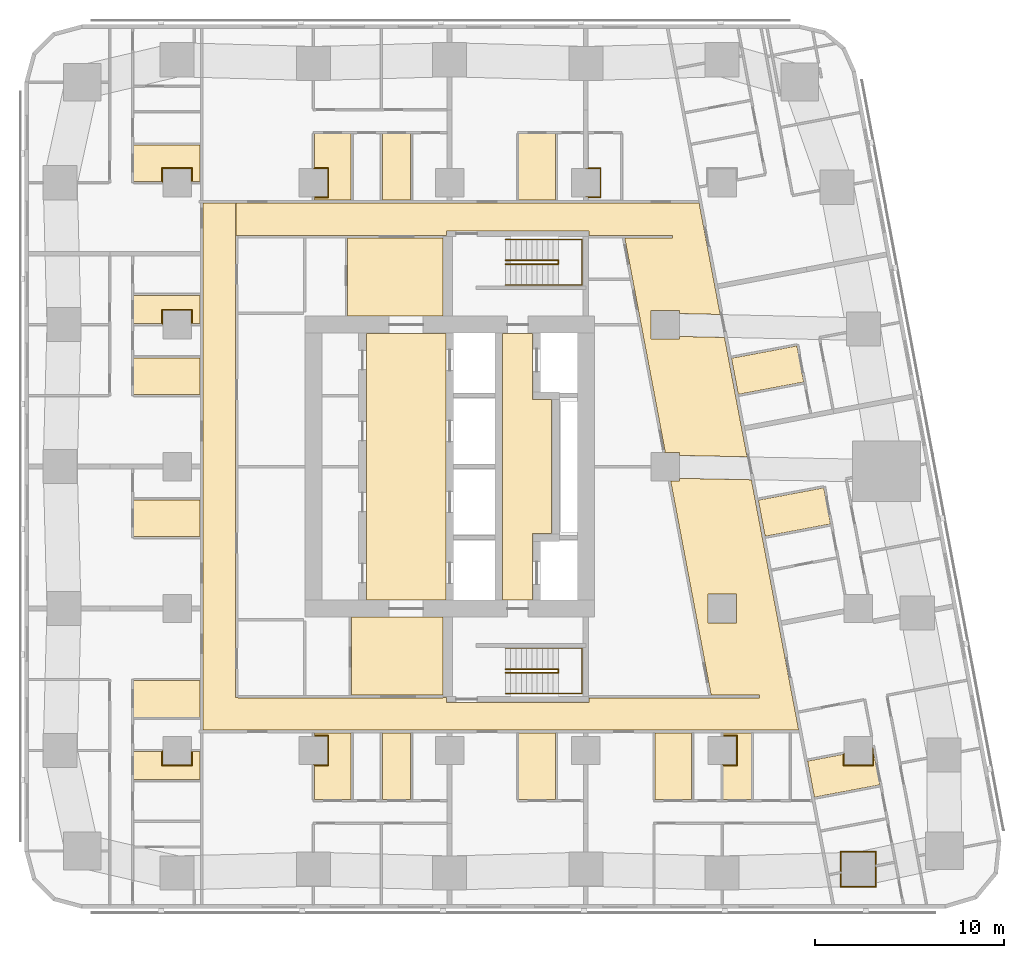
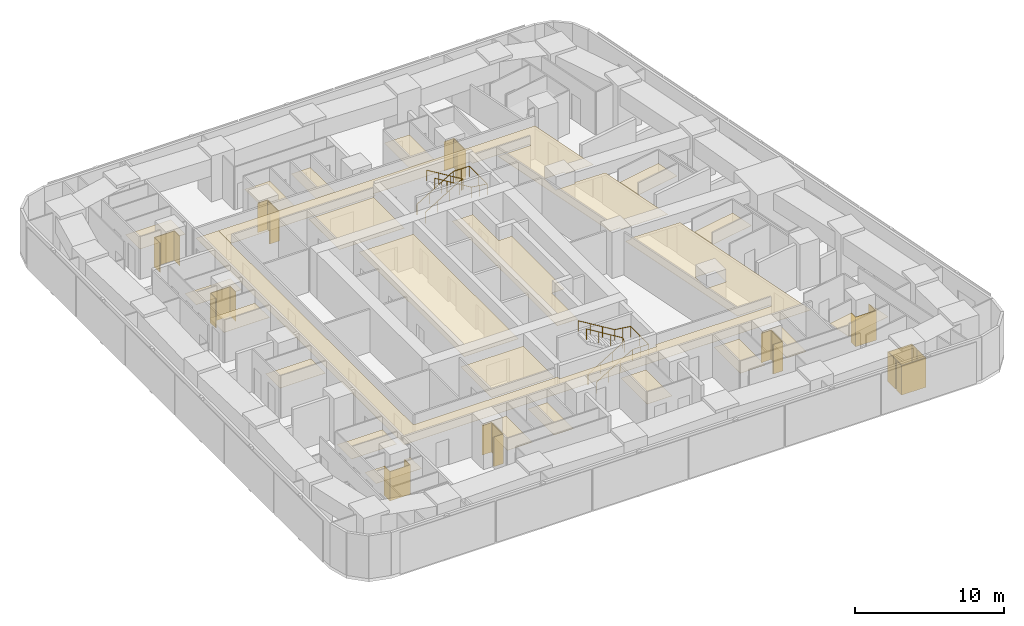
# One storey, part 14 of 15: 33 coverings, 4 railings.
"""IFC4 building model written with IfcOpenShell, lengths in metres."""

from ifc_helpers import new_model, si_unit, direction, frame, origin, origin_2d, place, context, subcontext, project, spatial, polyline, circle, outline, extrude, material, layer, layer_set, type_object, element, save


model = new_model("IFC4")

# Units and contexts
model_context = context("Model", 3, precision=1e-05, world=origin(), true_north=direction((0.0, 1.0)))
body_context = subcontext(model_context, "Body", "Model", "MODEL_VIEW")
ifc_project = project(units=[si_unit("LENGTHUNIT", "METRE"), si_unit("AREAUNIT", "SQUARE_METRE"), si_unit("VOLUMEUNIT", "CUBIC_METRE"), si_unit("PLANEANGLEUNIT", "RADIAN"), si_unit("MASSUNIT", "GRAM", prefix="KILO")], contexts=[model_context])

# Site, building, storey
site_placement = place(None, origin())
site = spatial("IfcSite", under=ifc_project, at=site_placement, CompositionType="ELEMENT")
building_placement = place(site_placement, origin())
building = spatial("IfcBuilding", under=site, at=building_placement, Name="Sheger Commons Tower", CompositionType="ELEMENT")
storey_placement = place(building_placement, frame((0.0, 0.0, 180.800048828125)))
storey = spatial("IfcBuildingStorey", under=building, at=storey_placement, Name="L46", CompositionType="ELEMENT", Elevation=180.800048828125)

# Railings
ifc_material_1 = material(Name="Steel handrail, black powder-coated", Category="steel")
railing_type = type_object("IfcRailingType", Name="HANDRAIL 900", PredefinedType="HANDRAIL", material=ifc_material_1)
railing_1_placement = place(storey_placement, frame((24.550048828125, 11.60009765625, 0.17041015625)))
element("IfcRailing", 1, at=railing_1_placement, inside=storey, type_object=railing_type, Name="Stair S1 handrail L46", PredefinedType="HANDRAIL", context=body_context, shape_type="SweptSolid", body=[
    extrude(circle(Radius=0.02392578125, at=origin_2d()), frame((0.0, 0.0, 0.8759765625), z_axis=(0.854169791009, 0.0, 0.51999420009), x_axis=(0.0, 1.0, 0.0)), (0.0, 0.0, 1.0), 3.278076171875),
    extrude(circle(Radius=0.02392578125, at=origin_2d()), frame((2.800048828125, 0.0, 2.58056640625), z_axis=(0.0, 0.761090297175, 0.648645943136), x_axis=(-1.0, 0.0, 0.0)), (0.0, 0.0, 1.0), 0.2626953125),
    extrude(circle(Radius=0.02392578125, at=origin_2d()), frame((2.800048828125, 0.199951171875, 2.7509765625), z_axis=(-0.854169791009, 0.0, 0.51999420009), x_axis=(0.0, -1.0, 0.0)), (0.0, 0.0, 1.0), 3.278076171875),
    extrude(circle(Radius=0.02099609375, at=origin_2d()), origin(), (0.0, 0.0, 1.0), 0.851806640625),
    extrude(circle(Radius=0.02099609375, at=origin_2d()), frame((0.933349609375, 0.0, 0.568115234375)), (0.0, 0.0, 1.0), 0.851806640625),
    extrude(circle(Radius=0.02099609375, at=origin_2d()), frame((1.86669921875, 0.0, 1.136474609375)), (0.0, 0.0, 1.0), 0.851806640625),
    extrude(circle(Radius=0.02099609375, at=origin_2d()), frame((2.800048828125, 0.0, 1.70458984375)), (0.0, 0.0, 1.0), 0.851806640625),
    extrude(circle(Radius=0.02099609375, at=origin_2d()), frame((2.800048828125, 0.199951171875, 1.875)), (0.0, 0.0, 1.0), 0.851806640625),
    extrude(circle(Radius=0.02099609375, at=origin_2d()), frame((1.86669921875, 0.199951171875, 2.443115234375)), (0.0, 0.0, 1.0), 0.851806640625),
    extrude(circle(Radius=0.02099609375, at=origin_2d()), frame((0.933349609375, 0.199951171875, 3.011474609375)), (0.0, 0.0, 1.0), 0.851806640625),
    extrude(circle(Radius=0.02099609375, at=origin_2d()), frame((0.0, 0.199951171875, 3.57958984375)), (0.0, 0.0, 1.0), 0.851806640625),
])
railing_2_placement = place(storey_placement, frame((24.550048828125, 10.5, 0.17041015625)))
element("IfcRailing", 2, at=railing_2_placement, inside=storey, type_object=railing_type, Name="Stair S1 handrail L46", PredefinedType="HANDRAIL", context=body_context, shape_type="SweptSolid", body=[
    extrude(circle(Radius=0.02392578125, at=origin_2d()), frame((0.0, 0.0, 0.8759765625), z_axis=(0.854169791009, 0.0, 0.51999420009), x_axis=(0.0, 1.0, 0.0)), (0.0, 0.0, 1.0), 3.278076171875),
    extrude(circle(Radius=0.02392578125, at=origin_2d()), frame((2.800048828125, 0.0, 2.58056640625), z_axis=(1.0, 0.0, 0.0), x_axis=(0.0, 1.0, 0.0)), (0.0, 0.0, 1.0), 1.25),
    extrude(circle(Radius=0.02392578125, at=origin_2d()), frame((4.050048828125, 0.0, 2.58056640625), z_axis=(0.0, 1.0, 0.0), x_axis=(-1.0, 0.0, 0.0)), (0.0, 0.0, 1.0), 2.39990234375),
    extrude(circle(Radius=0.02392578125, at=origin_2d()), frame((4.050048828125, 2.39990234375, 2.58056640625), z_axis=(-0.990834877927, 0.0, 0.135078661092), x_axis=(0.0, -1.0, 0.0)), (0.0, 0.0, 1.0), 1.261474609375),
    extrude(circle(Radius=0.02392578125, at=origin_2d()), frame((2.800048828125, 2.39990234375, 2.7509765625), z_axis=(-0.854169791009, 0.0, 0.51999420009), x_axis=(0.0, -1.0, 0.0)), (0.0, 0.0, 1.0), 3.278076171875),
    extrude(circle(Radius=0.02099609375, at=origin_2d()), origin(), (0.0, 0.0, 1.0), 0.851806640625),
    extrude(circle(Radius=0.02099609375, at=origin_2d()), frame((0.933349609375, 0.0, 0.568115234375)), (0.0, 0.0, 1.0), 0.851806640625),
    extrude(circle(Radius=0.02099609375, at=origin_2d()), frame((1.86669921875, 0.0, 1.136474609375)), (0.0, 0.0, 1.0), 0.851806640625),
    extrude(circle(Radius=0.02099609375, at=origin_2d()), frame((2.800048828125, 0.0, 1.70458984375)), (0.0, 0.0, 1.0), 0.851806640625),
    extrude(circle(Radius=0.02099609375, at=origin_2d()), frame((3.425048828125, 0.0, 1.70458984375)), (0.0, 0.0, 1.0), 0.851806640625),
    extrude(circle(Radius=0.02099609375, at=origin_2d()), frame((4.050048828125, 0.0, 1.70458984375)), (0.0, 0.0, 1.0), 0.851806640625),
    extrude(circle(Radius=0.02099609375, at=origin_2d()), frame((4.050048828125, 1.199951171875, 1.70458984375)), (0.0, 0.0, 1.0), 0.851806640625),
    extrude(circle(Radius=0.02099609375, at=origin_2d()), frame((4.050048828125, 2.39990234375, 1.70458984375)), (0.0, 0.0, 1.0), 0.851806640625),
    extrude(circle(Radius=0.02099609375, at=origin_2d()), frame((3.425048828125, 2.39990234375, 1.789794921875)), (0.0, 0.0, 1.0), 0.851806640625),
    extrude(circle(Radius=0.02099609375, at=origin_2d()), frame((2.800048828125, 2.39990234375, 1.875)), (0.0, 0.0, 1.0), 0.851806640625),
    extrude(circle(Radius=0.02099609375, at=origin_2d()), frame((1.86669921875, 2.39990234375, 2.443115234375)), (0.0, 0.0, 1.0), 0.851806640625),
    extrude(circle(Radius=0.02099609375, at=origin_2d()), frame((0.933349609375, 2.39990234375, 3.011474609375)), (0.0, 0.0, 1.0), 0.851806640625),
    extrude(circle(Radius=0.02099609375, at=origin_2d()), frame((0.0, 2.39990234375, 3.57958984375)), (0.0, 0.0, 1.0), 0.851806640625),
])
railing_3_placement = place(storey_placement, frame((24.550048828125, 33.39990234375, 0.17041015625)))
element("IfcRailing", 3, at=railing_3_placement, inside=storey, type_object=railing_type, Name="Stair S2 handrail L46", PredefinedType="HANDRAIL", context=body_context, shape_type="SweptSolid", body=[
    extrude(circle(Radius=0.02392578125, at=origin_2d()), frame((0.0, 0.0, 0.8759765625), z_axis=(0.854169791009, 0.0, 0.51999420009), x_axis=(0.0, 1.0, 0.0)), (0.0, 0.0, 1.0), 3.278076171875),
    extrude(circle(Radius=0.02392578125, at=origin_2d()), frame((2.800048828125, 0.0, 2.58056640625), z_axis=(0.0, -0.761090297175, 0.648645943136), x_axis=(1.0, 0.0, 0.0)), (0.0, 0.0, 1.0), 0.2626953125),
    extrude(circle(Radius=0.02392578125, at=origin_2d()), frame((2.800048828125, -0.199951171875, 2.7509765625), z_axis=(-0.854169791009, 0.0, 0.51999420009), x_axis=(0.0, -1.0, 0.0)), (0.0, 0.0, 1.0), 3.278076171875),
    extrude(circle(Radius=0.02099609375, at=origin_2d()), origin(), (0.0, 0.0, 1.0), 0.851806640625),
    extrude(circle(Radius=0.02099609375, at=origin_2d()), frame((0.933349609375, 0.0, 0.568115234375)), (0.0, 0.0, 1.0), 0.851806640625),
    extrude(circle(Radius=0.02099609375, at=origin_2d()), frame((1.86669921875, 0.0, 1.136474609375)), (0.0, 0.0, 1.0), 0.851806640625),
    extrude(circle(Radius=0.02099609375, at=origin_2d()), frame((2.800048828125, 0.0, 1.70458984375)), (0.0, 0.0, 1.0), 0.851806640625),
    extrude(circle(Radius=0.02099609375, at=origin_2d()), frame((2.800048828125, -0.199951171875, 1.875)), (0.0, 0.0, 1.0), 0.851806640625),
    extrude(circle(Radius=0.02099609375, at=origin_2d()), frame((1.86669921875, -0.199951171875, 2.443115234375)), (0.0, 0.0, 1.0), 0.851806640625),
    extrude(circle(Radius=0.02099609375, at=origin_2d()), frame((0.933349609375, -0.199951171875, 3.011474609375)), (0.0, 0.0, 1.0), 0.851806640625),
    extrude(circle(Radius=0.02099609375, at=origin_2d()), frame((0.0, -0.199951171875, 3.57958984375)), (0.0, 0.0, 1.0), 0.851806640625),
])
railing_4_placement = place(storey_placement, frame((24.550048828125, 34.5, 0.17041015625)))
element("IfcRailing", 4, at=railing_4_placement, inside=storey, type_object=railing_type, Name="Stair S2 handrail L46", PredefinedType="HANDRAIL", context=body_context, shape_type="SweptSolid", body=[
    extrude(circle(Radius=0.02392578125, at=origin_2d()), frame((0.0, 0.0, 0.8759765625), z_axis=(0.854169791009, 0.0, 0.51999420009), x_axis=(0.0, 1.0, 0.0)), (0.0, 0.0, 1.0), 3.278076171875),
    extrude(circle(Radius=0.02392578125, at=origin_2d()), frame((2.800048828125, 0.0, 2.58056640625), z_axis=(1.0, 0.0, 0.0), x_axis=(0.0, 1.0, 0.0)), (0.0, 0.0, 1.0), 1.25),
    extrude(circle(Radius=0.02392578125, at=origin_2d()), frame((4.050048828125, 0.0, 2.58056640625), z_axis=(0.0, -1.0, 0.0), x_axis=(1.0, 0.0, 0.0)), (0.0, 0.0, 1.0), 2.39990234375),
    extrude(circle(Radius=0.02392578125, at=origin_2d()), frame((4.050048828125, -2.39990234375, 2.58056640625), z_axis=(-0.990834877927, 0.0, 0.135078661092), x_axis=(0.0, -1.0, 0.0)), (0.0, 0.0, 1.0), 1.261474609375),
    extrude(circle(Radius=0.02392578125, at=origin_2d()), frame((2.800048828125, -2.39990234375, 2.7509765625), z_axis=(-0.854169791009, 0.0, 0.51999420009), x_axis=(0.0, -1.0, 0.0)), (0.0, 0.0, 1.0), 3.278076171875),
    extrude(circle(Radius=0.02099609375, at=origin_2d()), origin(), (0.0, 0.0, 1.0), 0.851806640625),
    extrude(circle(Radius=0.02099609375, at=origin_2d()), frame((0.933349609375, 0.0, 0.568115234375)), (0.0, 0.0, 1.0), 0.851806640625),
    extrude(circle(Radius=0.02099609375, at=origin_2d()), frame((1.86669921875, 0.0, 1.136474609375)), (0.0, 0.0, 1.0), 0.851806640625),
    extrude(circle(Radius=0.02099609375, at=origin_2d()), frame((2.800048828125, 0.0, 1.70458984375)), (0.0, 0.0, 1.0), 0.851806640625),
    extrude(circle(Radius=0.02099609375, at=origin_2d()), frame((3.425048828125, 0.0, 1.70458984375)), (0.0, 0.0, 1.0), 0.851806640625),
    extrude(circle(Radius=0.02099609375, at=origin_2d()), frame((4.050048828125, 0.0, 1.70458984375)), (0.0, 0.0, 1.0), 0.851806640625),
    extrude(circle(Radius=0.02099609375, at=origin_2d()), frame((4.050048828125, -1.199951171875, 1.70458984375)), (0.0, 0.0, 1.0), 0.851806640625),
    extrude(circle(Radius=0.02099609375, at=origin_2d()), frame((4.050048828125, -2.39990234375, 1.70458984375)), (0.0, 0.0, 1.0), 0.851806640625),
    extrude(circle(Radius=0.02099609375, at=origin_2d()), frame((3.425048828125, -2.39990234375, 1.789794921875)), (0.0, 0.0, 1.0), 0.851806640625),
    extrude(circle(Radius=0.02099609375, at=origin_2d()), frame((2.800048828125, -2.39990234375, 1.875)), (0.0, 0.0, 1.0), 0.851806640625),
    extrude(circle(Radius=0.02099609375, at=origin_2d()), frame((1.86669921875, -2.39990234375, 2.443115234375)), (0.0, 0.0, 1.0), 0.851806640625),
    extrude(circle(Radius=0.02099609375, at=origin_2d()), frame((0.933349609375, -2.39990234375, 3.011474609375)), (0.0, 0.0, 1.0), 0.851806640625),
    extrude(circle(Radius=0.02099609375, at=origin_2d()), frame((0.0, -2.39990234375, 3.57958984375)), (0.0, 0.0, 1.0), 0.851806640625),
])

# Coverings
ifc_material_2 = material(Name="Moisture-resistant gypsum plasterboard 15 mm on a suspended galvanised steel grid", Category="steel")
ifc_layer_1 = layer(ifc_material_2, 0.014892578125)
ifc_layer_set_1 = layer_set([ifc_layer_1], Name="MOISTURE-RESISTANT CEILING 15")
covering_type_1 = type_object("IfcCoveringType", Name="MOISTURE-RESISTANT CEILING 15", PredefinedType="CEILING", material=ifc_layer_set_1)
covering_1_placement = place(storey_placement, frame((0.0, 0.0, 2.39990234375)))
element("IfcCovering", 5, at=covering_1_placement, inside=storey, type_object=covering_type_1, Name="L46-01.B1 ceiling", PredefinedType="CEILING", context=body_context, shape_type="SweptSolid", body=[
    extrude(outline(polyline([(4.905029296875, 9.2548828125), (8.419921875, 9.2548828125), (8.419921875, 11.195068359375), (4.905029296875, 11.195068359375), (4.905029296875, 9.2548828125)])), origin(), (0.0, 0.0, 1.0), 0.01513671875),
])
covering_2_placement = place(storey_placement, frame((0.0, 0.0, 2.39990234375)))
element("IfcCovering", 6, at=covering_2_placement, inside=storey, type_object=covering_type_1, Name="L46-01.B2 ceiling", PredefinedType="CEILING", context=body_context, shape_type="SweptSolid", body=[
    extrude(outline(polyline([(4.905029296875, 5.955078125), (8.419921875, 5.955078125), (8.419921875, 7.445068359375), (7.955078125, 7.445068359375), (7.955078125, 6.7451171875), (6.445068359375, 6.7451171875), (6.445068359375, 7.445068359375), (4.905029296875, 7.445068359375), (4.905029296875, 5.955078125)])), origin(), (0.0, 0.0, 1.0), 0.01513671875),
])
covering_3_placement = place(storey_placement, frame((0.0, 0.0, 2.39990234375)))
element("IfcCovering", 7, at=covering_3_placement, inside=storey, type_object=covering_type_1, Name="L46-02.B1 ceiling", PredefinedType="CEILING", context=body_context, shape_type="SweptSolid", body=[
    extrude(outline(polyline([(4.905029296875, 18.804931640625), (8.419921875, 18.804931640625), (8.419921875, 20.7451171875), (4.905029296875, 20.7451171875), (4.905029296875, 18.804931640625)])), origin(), (0.0, 0.0, 1.0), 0.01513671875),
])
covering_4_placement = place(storey_placement, frame((0.0, 0.0, 2.39990234375)))
element("IfcCovering", 8, at=covering_4_placement, inside=storey, type_object=covering_type_1, Name="L46-03.B1 ceiling", PredefinedType="CEILING", context=body_context, shape_type="SweptSolid", body=[
    extrude(outline(polyline([(4.905029296875, 26.304931640625), (8.419921875, 26.304931640625), (8.419921875, 28.2451171875), (4.905029296875, 28.2451171875), (4.905029296875, 26.304931640625)])), origin(), (0.0, 0.0, 1.0), 0.01513671875),
])
covering_5_placement = place(storey_placement, frame((0.0, 0.0, 2.39990234375)))
element("IfcCovering", 9, at=covering_5_placement, inside=storey, type_object=covering_type_1, Name="L46-03.B2 ceiling", PredefinedType="CEILING", context=body_context, shape_type="SweptSolid", body=[
    extrude(outline(polyline([(4.905029296875, 30.054931640625), (6.445068359375, 30.054931640625), (6.445068359375, 30.7548828125), (7.955078125, 30.7548828125), (7.955078125, 30.054931640625), (8.419921875, 30.054931640625), (8.419921875, 31.544921875), (4.905029296875, 31.544921875), (4.905029296875, 30.054931640625)])), origin(), (0.0, 0.0, 1.0), 0.01513671875),
])
covering_6_placement = place(storey_placement, frame((0.0, 0.0, 2.39990234375)))
element("IfcCovering", 10, at=covering_6_placement, inside=storey, type_object=covering_type_1, Name="L46-04.B1 ceiling", PredefinedType="CEILING", context=body_context, shape_type="SweptSolid", body=[
    extrude(outline(polyline([(4.905029296875, 37.554931640625), (6.445068359375, 37.554931640625), (6.445068359375, 38.2548828125), (7.955078125, 38.2548828125), (7.955078125, 37.554931640625), (8.419921875, 37.554931640625), (8.419921875, 39.4951171875), (4.905029296875, 39.4951171875), (4.905029296875, 37.554931640625)])), origin(), (0.0, 0.0, 1.0), 0.01513671875),
])
covering_7_placement = place(storey_placement, frame((0.0, 0.0, 2.39990234375)))
element("IfcCovering", 11, at=covering_7_placement, inside=storey, type_object=covering_type_1, Name="L46-05.B1 ceiling", PredefinedType="CEILING", context=body_context, shape_type="SweptSolid", body=[
    extrude(outline(polyline([(14.455078125, 4.905029296875), (16.39501953125, 4.905029296875), (16.39501953125, 8.419921875), (14.455078125, 8.419921875), (14.455078125, 8.2548828125), (15.155029296875, 8.2548828125), (15.155029296875, 6.7451171875), (14.455078125, 6.7451171875), (14.455078125, 4.905029296875)])), origin(), (0.0, 0.0, 1.0), 0.01513671875),
])
covering_8_placement = place(storey_placement, frame((0.0, 0.0, 2.39990234375)))
element("IfcCovering", 12, at=covering_8_placement, inside=storey, type_object=covering_type_1, Name="L46-05.B2 ceiling", PredefinedType="CEILING", context=body_context, shape_type="SweptSolid", body=[
    extrude(outline(polyline([(18.054931640625, 4.905029296875), (19.544921875, 4.905029296875), (19.544921875, 8.419921875), (18.054931640625, 8.419921875), (18.054931640625, 4.905029296875)])), origin(), (0.0, 0.0, 1.0), 0.01513671875),
])
covering_9_placement = place(storey_placement, frame((0.0, 0.0, 2.39990234375)))
element("IfcCovering", 13, at=covering_9_placement, inside=storey, type_object=covering_type_1, Name="L46-06.B1 ceiling", PredefinedType="CEILING", context=body_context, shape_type="SweptSolid", body=[
    extrude(outline(polyline([(25.2548828125, 4.905029296875), (27.195068359375, 4.905029296875), (27.195068359375, 8.419921875), (25.2548828125, 8.419921875), (25.2548828125, 4.905029296875)])), origin(), (0.0, 0.0, 1.0), 0.01513671875),
])
covering_10_placement = place(storey_placement, frame((0.0, 0.0, 2.39990234375)))
element("IfcCovering", 14, at=covering_10_placement, inside=storey, type_object=covering_type_1, Name="L46-07.B1 ceiling", PredefinedType="CEILING", context=body_context, shape_type="SweptSolid", body=[
    extrude(outline(polyline([(32.455078125, 4.905029296875), (34.39501953125, 4.905029296875), (34.39501953125, 8.419921875), (32.455078125, 8.419921875), (32.455078125, 4.905029296875)])), origin(), (0.0, 0.0, 1.0), 0.01513671875),
])
covering_11_placement = place(storey_placement, frame((0.0, 0.0, 2.39990234375)))
element("IfcCovering", 15, at=covering_11_placement, inside=storey, type_object=covering_type_1, Name="L46-07.B2 ceiling", PredefinedType="CEILING", context=body_context, shape_type="SweptSolid", body=[
    extrude(outline(polyline([(36.054931640625, 4.905029296875), (37.544921875, 4.905029296875), (37.544921875, 8.419921875), (36.054931640625, 8.419921875), (36.054931640625, 8.2548828125), (36.7548828125, 8.2548828125), (36.7548828125, 6.7451171875), (36.054931640625, 6.7451171875), (36.054931640625, 4.905029296875)])), origin(), (0.0, 0.0, 1.0), 0.01513671875),
])
covering_12_placement = place(storey_placement, frame((0.0, 0.0, 2.39990234375)))
element("IfcCovering", 16, at=covering_12_placement, inside=storey, type_object=covering_type_1, Name="L46-09.B1 ceiling", PredefinedType="CEILING", context=body_context, shape_type="SweptSolid", body=[
    extrude(outline(polyline([(36.85888671875, 26.319091796875), (40.31298828125, 26.970947265625), (39.952880859375, 28.8779296875), (36.4990234375, 28.22509765625), (36.85888671875, 26.319091796875)])), origin(), (0.0, 0.0, 1.0), 0.01513671875),
])
covering_13_placement = place(storey_placement, frame((0.0, 0.0, 2.39990234375)))
element("IfcCovering", 17, at=covering_13_placement, inside=storey, type_object=covering_type_1, Name="L46-10.B1 ceiling", PredefinedType="CEILING", context=body_context, shape_type="SweptSolid", body=[
    extrude(outline(polyline([(38.27587890625, 18.819091796875), (41.72998046875, 19.470947265625), (41.3701171875, 21.3779296875), (37.916015625, 20.72607421875), (38.27587890625, 18.819091796875)])), origin(), (0.0, 0.0, 1.0), 0.01513671875),
])
covering_14_placement = place(storey_placement, frame((0.0, 0.0, 2.39990234375)))
element("IfcCovering", 18, at=covering_14_placement, inside=storey, type_object=covering_type_1, Name="L46-11.B1 ceiling", PredefinedType="CEILING", context=body_context, shape_type="SweptSolid", body=[
    extrude(outline(polyline([(40.8798828125, 5.031982421875), (44.333984375, 5.68408203125), (43.964111328125, 7.64501953125), (43.955078125, 7.64306640625), (43.955078125, 6.7451171875), (42.445068359375, 6.7451171875), (42.445068359375, 7.302001953125), (40.52001953125, 6.93798828125), (40.8798828125, 5.031982421875)])), origin(), (0.0, 0.0, 1.0), 0.01513671875),
])
covering_15_placement = place(storey_placement, frame((0.0, 0.0, 2.39990234375)))
element("IfcCovering", 19, at=covering_15_placement, inside=storey, type_object=covering_type_1, Name="L46-12.B1 ceiling", PredefinedType="CEILING", context=body_context, shape_type="SweptSolid", body=[
    extrude(outline(polyline([(14.455078125, 36.580078125), (16.39501953125, 36.580078125), (16.39501953125, 40.094970703125), (14.455078125, 40.094970703125), (14.455078125, 38.2548828125), (15.155029296875, 38.2548828125), (15.155029296875, 36.7451171875), (14.455078125, 36.7451171875), (14.455078125, 36.580078125)])), origin(), (0.0, 0.0, 1.0), 0.01513671875),
])
covering_16_placement = place(storey_placement, frame((0.0, 0.0, 2.39990234375)))
element("IfcCovering", 20, at=covering_16_placement, inside=storey, type_object=covering_type_1, Name="L46-12.B2 ceiling", PredefinedType="CEILING", context=body_context, shape_type="SweptSolid", body=[
    extrude(outline(polyline([(18.054931640625, 36.580078125), (19.544921875, 36.580078125), (19.544921875, 40.094970703125), (18.054931640625, 40.094970703125), (18.054931640625, 36.580078125)])), origin(), (0.0, 0.0, 1.0), 0.01513671875),
])
covering_17_placement = place(storey_placement, frame((0.0, 0.0, 2.39990234375)))
element("IfcCovering", 21, at=covering_17_placement, inside=storey, type_object=covering_type_1, Name="L46-13.B1 ceiling", PredefinedType="CEILING", context=body_context, shape_type="SweptSolid", body=[
    extrude(outline(polyline([(25.2548828125, 36.580078125), (27.195068359375, 36.580078125), (27.195068359375, 40.094970703125), (25.2548828125, 40.094970703125), (25.2548828125, 36.580078125)])), origin(), (0.0, 0.0, 1.0), 0.01513671875),
])
ifc_material_3 = material(Name="Gypsum plasterboard 15 mm on a suspended steel grid", Category="steel")
ifc_layer_2 = layer(ifc_material_3, 0.014892578125)
ifc_layer_set_2 = layer_set([ifc_layer_2], Name="SUSPENDED CEILING 15")
covering_type_2 = type_object("IfcCoveringType", Name="SUSPENDED CEILING 15", PredefinedType="CEILING", material=ifc_layer_set_2)
covering_18_placement = place(storey_placement, frame((0.0, 0.0, 2.699951171875)))
element("IfcCovering", 22, at=covering_18_placement, inside=storey, type_object=covering_type_2, Name="L46-CO ceiling", PredefinedType="CEILING", context=body_context, shape_type="SweptSolid", body=[
    extrude(outline(polyline([(8.580078125, 8.580078125), (40.047119140625, 8.580078125), (37.549072265625, 21.802978515625), (33.7548828125, 21.8798828125), (33.7548828125, 21.7451171875), (33.283935546875, 21.7451171875), (35.4208984375, 10.431884765625), (35.384033203125, 10.425048828125), (35.385986328125, 10.41796875), (37.968017578125, 10.41796875), (37.968017578125, 10.281982421875), (28.955078125, 10.281982421875), (28.955078125, 10.044921875), (21.445068359375, 10.044921875), (21.445068359375, 10.300048828125), (21.2548828125, 10.300048828125), (21.2548828125, 10.281982421875), (10.407958984375, 10.281982421875), (10.407958984375, 10.294921875), (10.281982421875, 10.294921875), (10.281982421875, 34.705078125), (10.298095703125, 34.705078125), (10.298095703125, 36.419921875), (8.580078125, 36.419921875), (8.580078125, 8.580078125)]), holes=[polyline([(35.2451171875, 15.7548828125), (36.7548828125, 15.7548828125), (36.7548828125, 14.2451171875), (35.2451171875, 14.2451171875), (35.2451171875, 15.7548828125)])]), origin(), (0.0, 0.0, 1.0), 0.014892578125),
])
covering_19_placement = place(storey_placement, frame((0.0, 0.0, 2.699951171875)))
element("IfcCovering", 23, at=covering_19_placement, inside=storey, type_object=covering_type_2, Name="L46-CO ceiling", PredefinedType="CEILING", context=body_context, shape_type="SweptSolid", body=[
    extrude(outline(polyline([(37.320068359375, 23.01806640625), (36.12890625, 29.323974609375), (33.7548828125, 29.3779296875), (33.7548828125, 29.2451171875), (32.2451171875, 29.2451171875), (32.2451171875, 30.7548828125), (33.7548828125, 30.7548828125), (33.7548828125, 30.587890625), (35.89892578125, 30.5400390625), (34.77294921875, 36.5), (34.77001953125, 36.5), (34.77001953125, 36.419921875), (33.365966796875, 36.419921875), (33.361083984375, 34.719970703125), (33.361083984375, 36.419921875), (10.302978515625, 36.419921875), (10.302978515625, 34.705078125), (10.407958984375, 34.705078125), (10.407958984375, 34.718017578125), (21.2548828125, 34.718017578125), (21.2548828125, 34.699951171875), (21.445068359375, 34.699951171875), (21.445068359375, 34.955078125), (28.955078125, 34.955078125), (28.955078125, 34.718017578125), (33.361083984375, 34.718017578125), (33.3779296875, 34.718017578125), (33.3779296875, 34.58203125), (30.85888671875, 34.58203125), (32.99609375, 23.27099609375), (32.958984375, 23.263916015625), (32.9609375, 23.2548828125), (33.7548828125, 23.2548828125), (33.7548828125, 23.090087890625), (37.320068359375, 23.01806640625)])), origin(), (0.0, 0.0, 1.0), 0.014892578125),
])
covering_20_placement = place(storey_placement, frame((0.0, 0.0, 2.699951171875)))
element("IfcCovering", 24, at=covering_20_placement, inside=storey, type_object=covering_type_2, Name="L46-SVS1 ceiling", PredefinedType="CEILING", context=body_context, shape_type="SweptSolid", body=[
    extrude(outline(polyline([(16.406982421875, 10.41796875), (21.2451171875, 10.41796875), (21.2451171875, 14.544921875), (16.406982421875, 14.544921875), (16.406982421875, 10.41796875)])), origin(), (0.0, 0.0, 1.0), 0.014892578125),
])
covering_21_placement = place(storey_placement, frame((0.0, 0.0, 2.699951171875)))
element("IfcCovering", 25, at=covering_21_placement, inside=storey, type_object=covering_type_2, Name="L46-SVN1 ceiling", PredefinedType="CEILING", context=body_context, shape_type="SweptSolid", body=[
    extrude(outline(polyline([(16.217041015625, 30.455078125), (21.2451171875, 30.455078125), (21.2451171875, 34.58203125), (16.217041015625, 34.58203125), (16.217041015625, 30.455078125)])), origin(), (0.0, 0.0, 1.0), 0.014892578125),
])
covering_22_placement = place(storey_placement, frame((0.0, 0.0, 2.699951171875)))
element("IfcCovering", 26, at=covering_22_placement, inside=storey, type_object=covering_type_2, Name="L46-LL ceiling", PredefinedType="CEILING", context=body_context, shape_type="SweptSolid", body=[
    extrude(outline(polyline([(17.205078125, 15.455078125), (21.39990234375, 15.455078125), (21.39990234375, 29.544921875), (17.205078125, 29.544921875), (17.205078125, 15.455078125)])), origin(), (0.0, 0.0, 1.0), 0.014892578125),
])
covering_23_placement = place(storey_placement, frame((0.0, 0.0, 2.699951171875)))
element("IfcCovering", 27, at=covering_23_placement, inside=storey, type_object=covering_type_2, Name="L46-FL ceiling", PredefinedType="CEILING", context=body_context, shape_type="SweptSolid", body=[
    extrude(outline(polyline([(24.405029296875, 15.455078125), (25.9951171875, 15.455078125), (25.9951171875, 18.955078125), (26.9951171875, 18.955078125), (26.9951171875, 26.044921875), (25.9951171875, 26.044921875), (25.9951171875, 29.544921875), (24.405029296875, 29.544921875), (24.405029296875, 15.455078125)])), origin(), (0.0, 0.0, 1.0), 0.014892578125),
])
ifc_material_4 = material(Name="Moisture-resistant gypsum board 12.5 mm on 25 mm treated timber battens, tanked and tiled", Category="wood")
ifc_layer_3 = layer(ifc_material_4, 0.050048828125)
ifc_layer_set_3 = layer_set([ifc_layer_3], Name="WET-ROOM COLUMN LINING")
covering_type_3 = type_object("IfcCoveringType", Name="WET-ROOM COLUMN LINING", PredefinedType="CLADDING", material=ifc_layer_set_3)
covering_24_placement = place(storey_placement, origin())
element("IfcCovering", 28, at=covering_24_placement, inside=storey, type_object=covering_type_3, Name="Laundry room column lining C8 L46", PredefinedType="CLADDING", context=body_context, shape_type="SweptSolid", body=[
    extrude(outline(polyline([(44.14990234375, 2.175048828125), (44.14990234375, 1.455078125), (44.10107421875, 1.446044921875), (44.110107421875, 1.39697265625), (44.10009765625, 1.39501953125), (44.10009765625, 2.125), (42.300048828125, 2.125), (42.300048828125, 1.055908203125), (42.2900390625, 1.053955078125), (42.281005859375, 1.10205078125), (42.25, 1.095947265625), (42.25, 2.175048828125), (44.14990234375, 2.175048828125)])), origin(), (0.0, 0.0, 1.0), 2.39990234375),
])
covering_25_placement = place(storey_placement, origin())
element("IfcCovering", 29, at=covering_25_placement, inside=storey, type_object=covering_type_3, Name="Laundry room column lining C8 L46", PredefinedType="CLADDING", context=body_context, shape_type="SweptSolid", body=[
    extrude(outline(polyline([(42.300048828125, 1.055908203125), (42.300048828125, 0.324951171875), (44.10009765625, 0.324951171875), (44.10009765625, 1.39501953125), (44.110107421875, 1.39697265625), (44.118896484375, 1.347900390625), (44.14990234375, 1.35400390625), (44.14990234375, 0.27490234375), (42.25, 0.27490234375), (42.25, 0.9951171875), (42.299072265625, 1.00390625), (42.2900390625, 1.053955078125), (42.300048828125, 1.055908203125)])), origin(), (0.0, 0.0, 1.0), 2.39990234375),
])
covering_26_placement = place(storey_placement, origin())
element("IfcCovering", 30, at=covering_26_placement, inside=storey, type_object=covering_type_3, Name="Shower room column lining C10 L46", PredefinedType="CLADDING", context=body_context, shape_type="SweptSolid", body=[
    extrude(outline(polyline([(6.449951171875, 7.5), (6.449951171875, 6.75), (7.949951171875, 6.75), (7.949951171875, 7.5), (7.950927734375, 7.5), (7.950927734375, 7.449951171875), (8.0, 7.449951171875), (8.0, 6.699951171875), (6.39990234375, 6.699951171875), (6.39990234375, 7.449951171875), (6.448974609375, 7.449951171875), (6.448974609375, 7.5), (6.449951171875, 7.5)])), origin(), (0.0, 0.0, 1.0), 2.39990234375),
])
covering_27_placement = place(storey_placement, origin())
element("IfcCovering", 31, at=covering_27_placement, inside=storey, type_object=covering_type_3, Name="Bathroom column lining C10 L46", PredefinedType="CLADDING", context=body_context, shape_type="SweptSolid", body=[
    extrude(outline(polyline([(15.199951171875, 6.699951171875), (14.449951171875, 6.699951171875), (14.449951171875, 6.7490234375), (14.39990234375, 6.7490234375), (14.39990234375, 6.75), (15.14990234375, 6.75), (15.14990234375, 8.25), (14.39990234375, 8.25), (14.39990234375, 8.2509765625), (14.449951171875, 8.2509765625), (14.449951171875, 8.300048828125), (15.199951171875, 8.300048828125), (15.199951171875, 6.699951171875)])), origin(), (0.0, 0.0, 1.0), 2.39990234375),
])
covering_28_placement = place(storey_placement, origin())
element("IfcCovering", 32, at=covering_28_placement, inside=storey, type_object=covering_type_3, Name="Shower room column lining C10 L46", PredefinedType="CLADDING", context=body_context, shape_type="SweptSolid", body=[
    extrude(outline(polyline([(36.800048828125, 6.699951171875), (36.050048828125, 6.699951171875), (36.050048828125, 6.7490234375), (36.0, 6.7490234375), (36.0, 6.75), (36.75, 6.75), (36.75, 8.25), (36.0, 8.25), (36.0, 8.2509765625), (36.050048828125, 8.2509765625), (36.050048828125, 8.300048828125), (36.800048828125, 8.300048828125), (36.800048828125, 6.699951171875)])), origin(), (0.0, 0.0, 1.0), 2.39990234375),
])
covering_29_placement = place(storey_placement, origin())
element("IfcCovering", 33, at=covering_29_placement, inside=storey, type_object=covering_type_3, Name="Bathroom column lining C10 L46", PredefinedType="CLADDING", context=body_context, shape_type="SweptSolid", body=[
    extrude(outline(polyline([(42.449951171875, 7.35888671875), (42.449951171875, 6.75), (43.949951171875, 6.75), (43.949951171875, 7.64208984375), (43.968994140625, 7.64599609375), (44.0, 7.47998046875), (44.0, 6.699951171875), (42.39990234375, 6.699951171875), (42.39990234375, 7.299072265625), (42.448974609375, 7.30810546875), (42.43994140625, 7.35693359375), (42.449951171875, 7.35888671875)])), origin(), (0.0, 0.0, 1.0), 2.39990234375),
])
covering_30_placement = place(storey_placement, origin())
element("IfcCovering", 34, at=covering_30_placement, inside=storey, type_object=covering_type_3, Name="Shower room column lining C10 L46", PredefinedType="CLADDING", context=body_context, shape_type="SweptSolid", body=[
    extrude(outline(polyline([(8.0, 30.800048828125), (8.0, 30.050048828125), (7.950927734375, 30.050048828125), (7.950927734375, 30.0), (7.949951171875, 30.0), (7.949951171875, 30.75), (6.449951171875, 30.75), (6.449951171875, 30.0), (6.448974609375, 30.0), (6.448974609375, 30.050048828125), (6.39990234375, 30.050048828125), (6.39990234375, 30.800048828125), (8.0, 30.800048828125)])), origin(), (0.0, 0.0, 1.0), 2.39990234375),
])
covering_31_placement = place(storey_placement, origin())
element("IfcCovering", 35, at=covering_31_placement, inside=storey, type_object=covering_type_3, Name="Bathroom column lining C10 L46", PredefinedType="CLADDING", context=body_context, shape_type="SweptSolid", body=[
    extrude(outline(polyline([(8.0, 38.300048828125), (8.0, 37.550048828125), (7.950927734375, 37.550048828125), (7.950927734375, 37.5), (7.949951171875, 37.5), (7.949951171875, 38.25), (6.449951171875, 38.25), (6.449951171875, 37.5), (6.448974609375, 37.5), (6.448974609375, 37.550048828125), (6.39990234375, 37.550048828125), (6.39990234375, 38.300048828125), (8.0, 38.300048828125)])), origin(), (0.0, 0.0, 1.0), 2.39990234375),
])
covering_32_placement = place(storey_placement, origin())
element("IfcCovering", 36, at=covering_32_placement, inside=storey, type_object=covering_type_3, Name="Bathroom column lining C10 L46", PredefinedType="CLADDING", context=body_context, shape_type="SweptSolid", body=[
    extrude(outline(polyline([(15.199951171875, 36.699951171875), (14.449951171875, 36.699951171875), (14.449951171875, 36.7490234375), (14.39990234375, 36.7490234375), (14.39990234375, 36.75), (15.14990234375, 36.75), (15.14990234375, 38.25), (14.39990234375, 38.25), (14.39990234375, 38.2509765625), (14.449951171875, 38.2509765625), (14.449951171875, 38.300048828125), (15.199951171875, 38.300048828125), (15.199951171875, 36.699951171875)])), origin(), (0.0, 0.0, 1.0), 2.39990234375),
])
covering_33_placement = place(storey_placement, origin())
element("IfcCovering", 37, at=covering_33_placement, inside=storey, type_object=covering_type_3, Name="Shower room column lining C10 L46", PredefinedType="CLADDING", context=body_context, shape_type="SweptSolid", body=[
    extrude(outline(polyline([(29.60009765625, 36.699951171875), (28.925048828125, 36.699951171875), (28.925048828125, 36.7490234375), (28.800048828125, 36.7490234375), (28.800048828125, 36.75), (29.550048828125, 36.75), (29.550048828125, 38.25), (28.800048828125, 38.25), (28.800048828125, 38.2509765625), (28.925048828125, 38.2509765625), (28.925048828125, 38.300048828125), (29.60009765625, 38.300048828125), (29.60009765625, 36.699951171875)])), origin(), (0.0, 0.0, 1.0), 2.39990234375),
])

save(model, "model.ifc")
